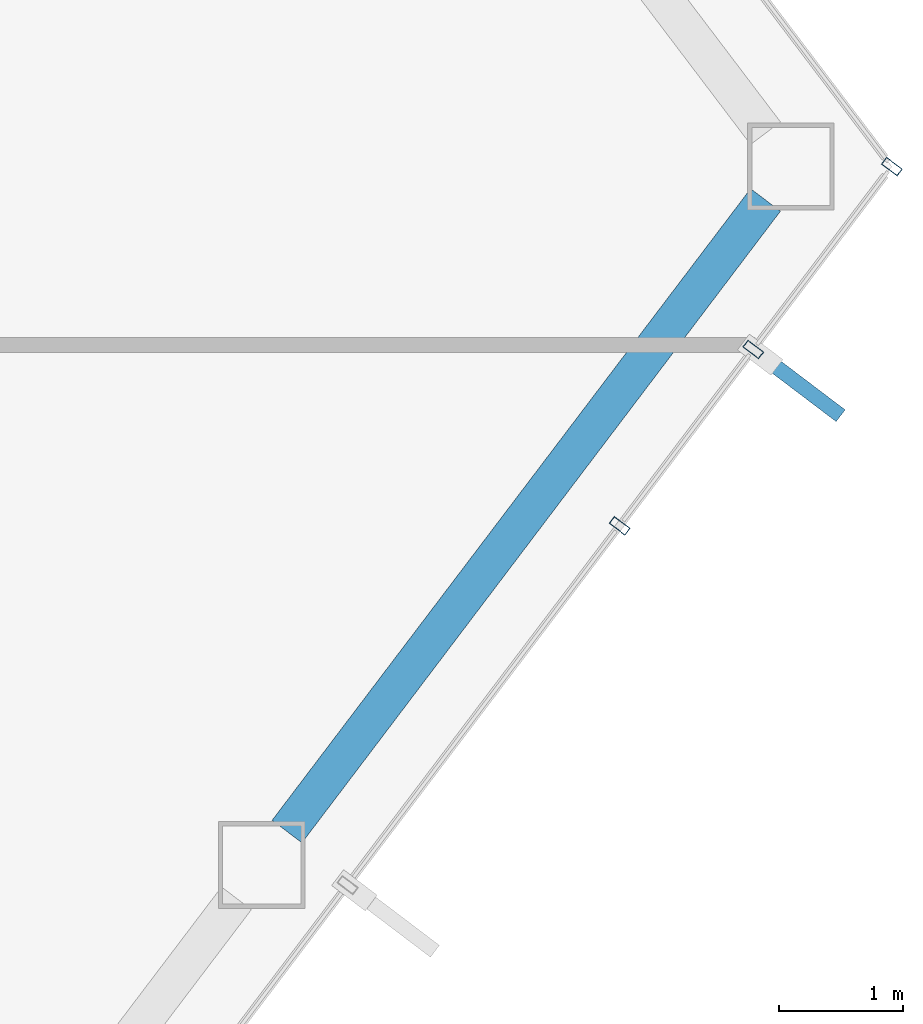
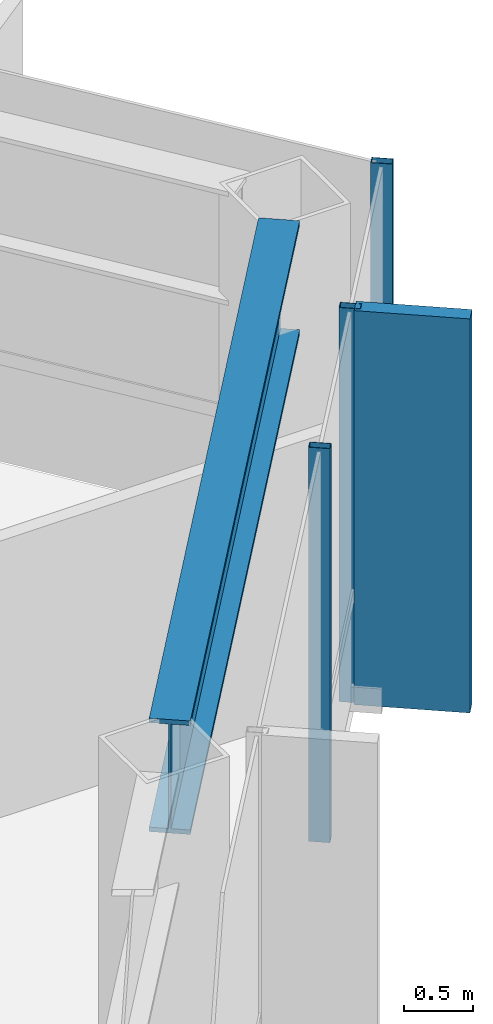
# One storey, part 21 of 28: 4 members, 1 beam, 1 element without a shape of its own.
"""IFC4 building model written with IfcOpenShell, lengths in metres."""

from ifc_helpers import new_model, si_unit, direction, frame, origin, origin_2d, place, context, subcontext, project, spatial, rectangle, hollow_rectangle, i_section, extrude, material, layer, layer_set, material_profile, profile_set, type_object, element, aggregate, save


model = new_model("IFC4")

# Units and contexts
model_context = context("Model", 3, precision=1e-05, world=origin(), true_north=direction((0.0, 1.0)))
body_context = subcontext(model_context, "Body", "Model", "MODEL_VIEW")
ifc_project = project(units=[si_unit("LENGTHUNIT", "METRE"), si_unit("AREAUNIT", "SQUARE_METRE"), si_unit("VOLUMEUNIT", "CUBIC_METRE"), si_unit("PLANEANGLEUNIT", "RADIAN"), si_unit("MASSUNIT", "GRAM", prefix="KILO")], contexts=[model_context])

# Site, building, storey
site_placement = place(None, origin())
site = spatial("IfcSite", under=ifc_project, at=site_placement, CompositionType="ELEMENT")
building_placement = place(site_placement, origin())
building = spatial("IfcBuilding", under=site, at=building_placement, Name="Zarrinselat Tower", CompositionType="ELEMENT")
storey_placement = place(building_placement, frame((0.0, 0.0, 187.0)))
storey = spatial("IfcBuildingStorey", under=building, at=storey_placement, Name="L46", CompositionType="ELEMENT", Elevation=187.0)

# Beam
ifc_material_1 = material(Name="Steel S460M", Category="steel")
ifc_material_profile_1 = material_profile(ifc_material_1, i_section(OverallWidth=0.302001953125, OverallDepth=1.008056640625, WebThickness=0.02099609375, FlangeThickness=0.0400390625, at=origin_2d()), Name="HEM 1000")
ifc_profile_set_1 = profile_set([ifc_material_profile_1], Name="Steel S460M")
beam_type = type_object("IfcBeamType", Name="BM-HEM1000", PredefinedType="BEAM", material=ifc_profile_set_1)
beam_placement = place(storey_placement, frame((58.123291015625, 35.42041015625, 2.99609375), z_axis=(0.603870915657, 0.797082127025, 0.0), x_axis=(-0.797082127025, 0.603870915657, 0.0)))
element("IfcBeam", 1, at=beam_placement, inside=storey, type_object=beam_type, Name="L46 Perimeter Spandrel Girder SP14", PredefinedType="BEAM", context=body_context, shape_type="SweptSolid", body=[
    extrude(i_section(OverallWidth=0.302001953125, OverallDepth=1.008056640625, WebThickness=0.02099609375, FlangeThickness=0.0400390625, at=origin_2d()), origin(), (0.0, 0.0, 1.0), 6.396240234375),
])

# Curtain wall, members
ifc_material_2 = material(Name="Extruded Aluminium Alloy EN AW-6063 T6", Category="aluminium")
ifc_layer = layer(ifc_material_2, 0.175048828125)
ifc_layer_set = layer_set([ifc_layer], Name="Extruded Aluminium Alloy EN AW-6063 T6")
curtain_wall_type = type_object("IfcCurtainWallType", Name="CWS-HTL", PredefinedType="NOTDEFINED", material=ifc_layer_set)
curtain_wall_placement = place(storey_placement, origin())
curtain_wall = element("IfcCurtainWall", 2, at=curtain_wall_placement, inside=storey, type_object=curtain_wall_type, Name="L46 Unitised Curtain Wall CW-L46-E05", PredefinedType="NOTDEFINED")
ifc_material_3 = material(Name="Extruded Aluminium Alloy EN AW-6063 T6", Category="aluminium")
ifc_material_profile_2 = material_profile(ifc_material_3, hollow_rectangle(XDim=0.070068359375, YDim=0.159912109375, WallThickness=0.00390625, at=origin_2d()), Name="RHS 160x70x4")
ifc_profile_set_2 = profile_set([ifc_material_profile_2], Name="Extruded Aluminium Alloy EN AW-6063 T6")
member_type_1 = type_object("IfcMemberType", Name="MEM-CW-MUL2", PredefinedType="MULLION", material=ifc_profile_set_2)
member_1_placement = place(storey_placement, frame((60.80859375, 37.88818359375, 0.0), z_axis=(0.0, 0.0, 1.0), x_axis=(0.603856629551, 0.797092950005, 0.0)))
member_1 = element("IfcMember", 3, at=member_1_placement, type_object=member_type_1, Name="CW-L46-E05 Mullion 8", PredefinedType="MULLION", context=body_context, shape_type="SweptSolid", body=[
    extrude(hollow_rectangle(XDim=0.070068359375, YDim=0.159912109375, WallThickness=0.00390625, at=origin_2d()), origin(), (0.0, 0.0, 1.0), 3.5),
])
member_2_placement = place(storey_placement, frame((61.88671875, 39.3115234375, 0.0), z_axis=(0.0, 0.0, 1.0), x_axis=(0.603856629551, 0.797092950005, 0.0)))
member_2 = element("IfcMember", 4, at=member_2_placement, type_object=member_type_1, Name="CW-L46-E05 Mullion 9", PredefinedType="MULLION", context=body_context, shape_type="SweptSolid", body=[
    extrude(hollow_rectangle(XDim=0.070068359375, YDim=0.159912109375, WallThickness=0.00390625, at=origin_2d()), origin(), (0.0, 0.0, 1.0), 3.5),
])
member_3_placement = place(storey_placement, frame((63.00537109375, 40.7880859375, 0.0), z_axis=(0.0, 0.0, 1.0), x_axis=(0.603856629551, 0.797092950005, 0.0)))
member_3 = element("IfcMember", 5, at=member_3_placement, type_object=member_type_1, Name="CW-L46-E05 Mullion 10", PredefinedType="MULLION", context=body_context, shape_type="SweptSolid", body=[
    extrude(hollow_rectangle(XDim=0.070068359375, YDim=0.159912109375, WallThickness=0.00390625, at=origin_2d()), origin(), (0.0, 0.0, 1.0), 3.5),
])
ifc_material_4 = material(Name="Honed Cream Travertine Stone", Category="masonry")
ifc_material_profile_3 = material_profile(ifc_material_4, rectangle(XDim=0.1201171875, YDim=0.85009765625, at=origin_2d()), Name="FIN 850x120")
ifc_profile_set_3 = profile_set([ifc_material_profile_3], Name="Honed Cream Travertine Stone")
member_type_2 = type_object("IfcMemberType", Name="MEM-STONE-FIN", PredefinedType="USERDEFINED", material=ifc_profile_set_3)
member_4_placement = place(storey_placement, frame((62.25341796875, 39.03369140625, 0.0), z_axis=(0.0, 0.0, 1.0), x_axis=(-0.603856629551, -0.797092950005, 0.0)))
member_4 = element("IfcMember", 6, at=member_4_placement, type_object=member_type_2, Name="L46 Stone Shading Fin CW-L46-E05-09", ObjectType="FIN", PredefinedType="USERDEFINED", context=body_context, shape_type="SweptSolid", body=[
    extrude(rectangle(XDim=0.1201171875, YDim=0.85009765625, at=origin_2d()), origin(), (0.0, 0.0, 1.0), 3.5),
])
aggregate(curtain_wall, [member_1, member_2, member_4, member_3])

save(model, "model.ifc")
